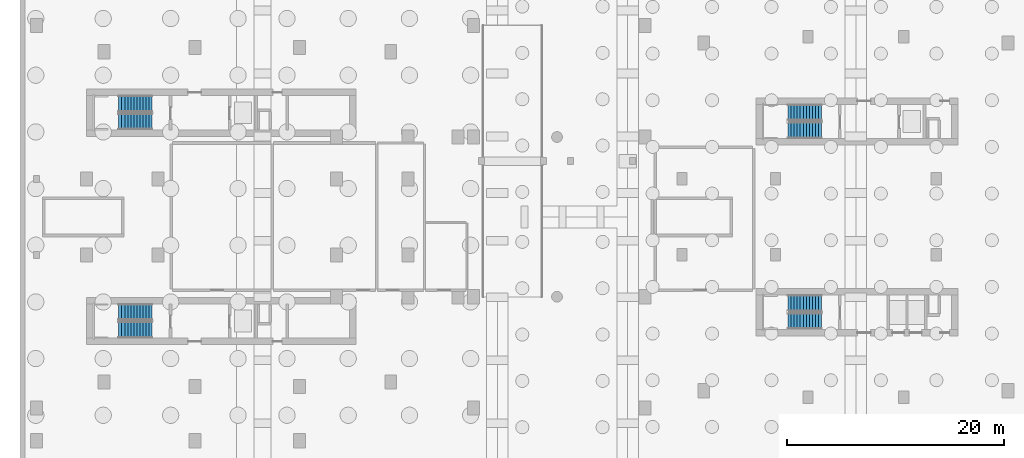
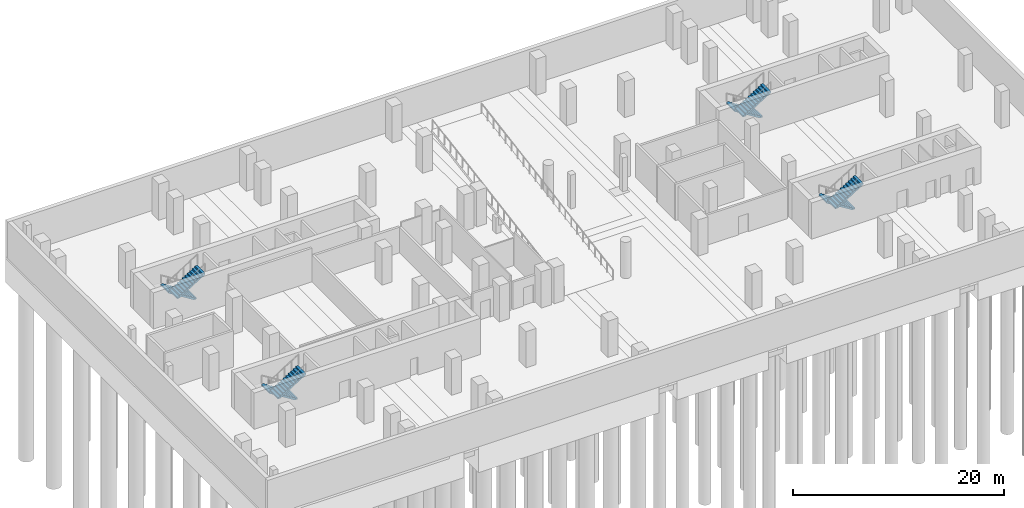
# One storey, part 9 of 14: 8 stair flights, 4 elements without a shape of their own.
"""IFC4 building model written with IfcOpenShell, lengths in metres."""

from ifc_helpers import new_model, si_unit, derived_unit, direction, frame, origin, place, context, subcontext, project, spatial, polyline, outline, extrude, material, type_object, element, aggregate, save


model = new_model("IFC4")

# Units and contexts
model_context = context("Model", 3, precision=1e-05, world=origin(), true_north=direction((0.0, 1.0)))
body_context = subcontext(model_context, "Body", "Model", "MODEL_VIEW")
ifc_project = project(units=[si_unit("LENGTHUNIT", "METRE"), si_unit("AREAUNIT", "SQUARE_METRE"), si_unit("VOLUMEUNIT", "CUBIC_METRE"), si_unit("PLANEANGLEUNIT", "RADIAN"), si_unit("MASSUNIT", "GRAM", prefix="KILO"), derived_unit("THERMALTRANSMITTANCEUNIT", [(si_unit("POWERUNIT", "WATT"), 1), (si_unit("LENGTHUNIT", "METRE"), -2), (si_unit("THERMODYNAMICTEMPERATUREUNIT", "KELVIN"), -1)])], contexts=[model_context])

# Site, building, storey
site_placement = place(None, origin())
site = spatial("IfcSite", under=ifc_project, at=site_placement, CompositionType="ELEMENT")
building_placement = place(site_placement, origin())
building = spatial("IfcBuilding", under=site, at=building_placement, Name="Kivonza Crest Hotel", CompositionType="ELEMENT")
storey_placement = place(building_placement, frame((0.0, 0.0, -8.39990234375)))
storey = spatial("IfcBuildingStorey", under=building, at=storey_placement, Name="B2", CompositionType="ELEMENT", Elevation=-8.39990234375)

# Stair, stair flights
ifc_material = material(Name="Concrete C40/50", Category="concrete")
stair_type = type_object("IfcStairType", Name="ST-DL-24R", PredefinedType="HALF_TURN_STAIR", material=ifc_material)
stair_1_placement = place(storey_placement, origin())
stair_1 = element("IfcStair", 1, at=stair_1_placement, inside=storey, type_object=stair_type, Name="B2 Protected Exit Stair ST-T1-N", PredefinedType="HALF_TURN_STAIR")
stair_flight_type = type_object("IfcStairFlightType", Name="SFL-RC-12R", PredefinedType="STRAIGHT", material=ifc_material)
stair_flight_1_placement = place(storey_placement, frame((12.239990234375, 35.409912109375, 0.0), z_axis=(0.0, 0.0, 1.0), x_axis=(-1.0, 0.0, 0.0)))
stair_flight_1 = element("IfcStairFlight", 2, at=stair_flight_1_placement, type_object=stair_flight_type, Name="ST-T1-N flight 1", NumberOfRisers=12, NumberOfTreads=11, PredefinedType="STRAIGHT", RiserHeight=0.175, TreadLength=0.28, context=body_context, shape_type="SweptSolid", body=[
    extrude(outline(polyline([(0.0, 0.0), (0.0, 0.175048828125), (0.280029296875, 0.175048828125), (0.280029296875, 0.35009765625), (0.56005859375, 0.35009765625), (0.56005859375, 0.52490234375), (0.840087890625, 0.52490234375), (0.840087890625, 0.699951171875), (1.1201171875, 0.699951171875), (1.1201171875, 0.875), (1.39990234375, 0.875), (1.39990234375, 1.050048828125), (1.679931640625, 1.050048828125), (1.679931640625, 1.22509765625), (1.9599609375, 1.22509765625), (1.9599609375, 1.39990234375), (2.239990234375, 1.39990234375), (2.239990234375, 1.574951171875), (2.52001953125, 1.574951171875), (2.52001953125, 1.75), (2.800048828125, 1.75), (2.800048828125, 1.925048828125), (3.080078125, 1.925048828125), (3.080078125, 2.10009765625), (3.080078125, 1.748291015625), (0.28271484375, 0.0), (0.0, 0.0)])), frame((0.0, 0.75, 0.0), z_axis=(0.0, -1.0, 0.0), x_axis=(1.0, 0.0, 0.0)), (0.0, 0.0, 1.0), 1.5),
])
stair_flight_2_placement = place(storey_placement, frame((9.159912109375, 33.77001953125, 2.099853515625), z_axis=(0.0, 0.0, 1.0), x_axis=(1.0, 0.0, 0.0)))
stair_flight_2 = element("IfcStairFlight", 3, at=stair_flight_2_placement, type_object=stair_flight_type, Name="ST-T1-N flight 2", NumberOfRisers=12, NumberOfTreads=11, PredefinedType="STRAIGHT", RiserHeight=0.175, TreadLength=0.28, context=body_context, shape_type="SweptSolid", body=[
    extrude(outline(polyline([(0.0, 0.0), (0.0, 0.175048828125), (0.280029296875, 0.175048828125), (0.280029296875, 0.35009765625), (0.56005859375, 0.35009765625), (0.56005859375, 0.52490234375), (0.840087890625, 0.52490234375), (0.840087890625, 0.699951171875), (1.1201171875, 0.699951171875), (1.1201171875, 0.875), (1.39990234375, 0.875), (1.39990234375, 1.050048828125), (1.679931640625, 1.050048828125), (1.679931640625, 1.22509765625), (1.9599609375, 1.22509765625), (1.9599609375, 1.39990234375), (2.239990234375, 1.39990234375), (2.239990234375, 1.574951171875), (2.52001953125, 1.574951171875), (2.52001953125, 1.75), (2.800048828125, 1.75), (2.800048828125, 1.925048828125), (3.080078125, 1.925048828125), (3.080078125, 2.10009765625), (3.080078125, 1.748291015625), (0.28271484375, 0.0), (0.0, 0.0)])), frame((0.0, 0.75, 0.0), z_axis=(0.0, -1.0, 0.0), x_axis=(1.0, 0.0, 0.0)), (0.0, 0.0, 1.0), 1.5),
])
aggregate(stair_1, [stair_flight_1, stair_flight_2])

stair_2_placement = place(storey_placement, origin())
stair_2 = element("IfcStair", 4, at=stair_2_placement, inside=storey, type_object=stair_type, Name="B2 Protected Exit Stair ST-T1-S", PredefinedType="HALF_TURN_STAIR")
stair_flight_3_placement = place(storey_placement, frame((12.239990234375, 16.25, 0.0), z_axis=(0.0, 0.0, 1.0), x_axis=(-1.0, 0.0, 0.0)))
stair_flight_3 = element("IfcStairFlight", 5, at=stair_flight_3_placement, type_object=stair_flight_type, Name="ST-T1-S flight 1", NumberOfRisers=12, NumberOfTreads=11, PredefinedType="STRAIGHT", RiserHeight=0.175, TreadLength=0.28, context=body_context, shape_type="SweptSolid", body=[
    extrude(outline(polyline([(0.0, 0.0), (0.0, 0.175048828125), (0.280029296875, 0.175048828125), (0.280029296875, 0.35009765625), (0.56005859375, 0.35009765625), (0.56005859375, 0.52490234375), (0.840087890625, 0.52490234375), (0.840087890625, 0.699951171875), (1.1201171875, 0.699951171875), (1.1201171875, 0.875), (1.39990234375, 0.875), (1.39990234375, 1.050048828125), (1.679931640625, 1.050048828125), (1.679931640625, 1.22509765625), (1.9599609375, 1.22509765625), (1.9599609375, 1.39990234375), (2.239990234375, 1.39990234375), (2.239990234375, 1.574951171875), (2.52001953125, 1.574951171875), (2.52001953125, 1.75), (2.800048828125, 1.75), (2.800048828125, 1.925048828125), (3.080078125, 1.925048828125), (3.080078125, 2.10009765625), (3.080078125, 1.748291015625), (0.28271484375, 0.0), (0.0, 0.0)])), frame((0.0, 0.75, 0.0), z_axis=(0.0, -1.0, 0.0), x_axis=(1.0, 0.0, 0.0)), (0.0, 0.0, 1.0), 1.5),
])
stair_flight_4_placement = place(storey_placement, frame((9.159912109375, 14.610107421875, 2.099853515625), z_axis=(0.0, 0.0, 1.0), x_axis=(1.0, 0.0, 0.0)))
stair_flight_4 = element("IfcStairFlight", 6, at=stair_flight_4_placement, type_object=stair_flight_type, Name="ST-T1-S flight 2", NumberOfRisers=12, NumberOfTreads=11, PredefinedType="STRAIGHT", RiserHeight=0.175, TreadLength=0.28, context=body_context, shape_type="SweptSolid", body=[
    extrude(outline(polyline([(0.0, 0.0), (0.0, 0.175048828125), (0.280029296875, 0.175048828125), (0.280029296875, 0.35009765625), (0.56005859375, 0.35009765625), (0.56005859375, 0.52490234375), (0.840087890625, 0.52490234375), (0.840087890625, 0.699951171875), (1.1201171875, 0.699951171875), (1.1201171875, 0.875), (1.39990234375, 0.875), (1.39990234375, 1.050048828125), (1.679931640625, 1.050048828125), (1.679931640625, 1.22509765625), (1.9599609375, 1.22509765625), (1.9599609375, 1.39990234375), (2.239990234375, 1.39990234375), (2.239990234375, 1.574951171875), (2.52001953125, 1.574951171875), (2.52001953125, 1.75), (2.800048828125, 1.75), (2.800048828125, 1.925048828125), (3.080078125, 1.925048828125), (3.080078125, 2.10009765625), (3.080078125, 1.748291015625), (0.28271484375, 0.0), (0.0, 0.0)])), frame((0.0, 0.75, 0.0), z_axis=(0.0, -1.0, 0.0), x_axis=(1.0, 0.0, 0.0)), (0.0, 0.0, 1.0), 1.5),
])
aggregate(stair_2, [stair_flight_3, stair_flight_4])

stair_3_placement = place(storey_placement, origin())
stair_3 = element("IfcStair", 7, at=stair_3_placement, inside=storey, type_object=stair_type, Name="B2 Protected Exit Stair ST-T2-N", PredefinedType="HALF_TURN_STAIR")
stair_flight_5_placement = place(storey_placement, frame((73.840087890625, 34.610107421875, 0.0), z_axis=(0.0, 0.0, 1.0), x_axis=(-1.0, 0.0, 0.0)))
stair_flight_5 = element("IfcStairFlight", 8, at=stair_flight_5_placement, type_object=stair_flight_type, Name="ST-T2-N flight 1", NumberOfRisers=12, NumberOfTreads=11, PredefinedType="STRAIGHT", RiserHeight=0.175, TreadLength=0.28, context=body_context, shape_type="SweptSolid", body=[
    extrude(outline(polyline([(0.0, 0.0), (0.0, 0.175048828125), (0.280029296875, 0.175048828125), (0.280029296875, 0.35009765625), (0.56005859375, 0.35009765625), (0.56005859375, 0.52490234375), (0.840087890625, 0.52490234375), (0.840087890625, 0.699951171875), (1.1201171875, 0.699951171875), (1.1201171875, 0.875), (1.39990234375, 0.875), (1.39990234375, 1.050048828125), (1.679931640625, 1.050048828125), (1.679931640625, 1.22509765625), (1.9599609375, 1.22509765625), (1.9599609375, 1.39990234375), (2.239990234375, 1.39990234375), (2.239990234375, 1.574951171875), (2.52001953125, 1.574951171875), (2.52001953125, 1.75), (2.800048828125, 1.75), (2.800048828125, 1.925048828125), (3.080078125, 1.925048828125), (3.080078125, 2.10009765625), (3.080078125, 1.748291015625), (0.28271484375, 0.0), (0.0, 0.0)])), frame((0.0, 0.75, 0.0), z_axis=(0.0, -1.0, 0.0), x_axis=(1.0, 0.0, 0.0)), (0.0, 0.0, 1.0), 1.5),
])
stair_flight_6_placement = place(storey_placement, frame((70.760009765625, 32.969970703125, 2.099853515625), z_axis=(0.0, 0.0, 1.0), x_axis=(1.0, 0.0, 0.0)))
stair_flight_6 = element("IfcStairFlight", 9, at=stair_flight_6_placement, type_object=stair_flight_type, Name="ST-T2-N flight 2", NumberOfRisers=12, NumberOfTreads=11, PredefinedType="STRAIGHT", RiserHeight=0.175, TreadLength=0.28, context=body_context, shape_type="SweptSolid", body=[
    extrude(outline(polyline([(0.0, 0.0), (0.0, 0.175048828125), (0.280029296875, 0.175048828125), (0.280029296875, 0.35009765625), (0.56005859375, 0.35009765625), (0.56005859375, 0.52490234375), (0.840087890625, 0.52490234375), (0.840087890625, 0.699951171875), (1.1201171875, 0.699951171875), (1.1201171875, 0.875), (1.39990234375, 0.875), (1.39990234375, 1.050048828125), (1.679931640625, 1.050048828125), (1.679931640625, 1.22509765625), (1.9599609375, 1.22509765625), (1.9599609375, 1.39990234375), (2.239990234375, 1.39990234375), (2.239990234375, 1.574951171875), (2.52001953125, 1.574951171875), (2.52001953125, 1.75), (2.800048828125, 1.75), (2.800048828125, 1.925048828125), (3.080078125, 1.925048828125), (3.080078125, 2.10009765625), (3.080078125, 1.748291015625), (0.28271484375, 0.0), (0.0, 0.0)])), frame((0.0, 0.75, 0.0), z_axis=(0.0, -1.0, 0.0), x_axis=(1.0, 0.0, 0.0)), (0.0, 0.0, 1.0), 1.5),
])
aggregate(stair_3, [stair_flight_5, stair_flight_6])

stair_4_placement = place(storey_placement, origin())
stair_4 = element("IfcStair", 10, at=stair_4_placement, inside=storey, type_object=stair_type, Name="B2 Protected Exit Stair ST-T2-S", PredefinedType="HALF_TURN_STAIR")
stair_flight_7_placement = place(storey_placement, frame((73.840087890625, 17.050048828125, 0.0), z_axis=(0.0, 0.0, 1.0), x_axis=(-1.0, 0.0, 0.0)))
stair_flight_7 = element("IfcStairFlight", 11, at=stair_flight_7_placement, type_object=stair_flight_type, Name="ST-T2-S flight 1", NumberOfRisers=12, NumberOfTreads=11, PredefinedType="STRAIGHT", RiserHeight=0.175, TreadLength=0.28, context=body_context, shape_type="SweptSolid", body=[
    extrude(outline(polyline([(0.0, 0.0), (0.0, 0.175048828125), (0.280029296875, 0.175048828125), (0.280029296875, 0.35009765625), (0.56005859375, 0.35009765625), (0.56005859375, 0.52490234375), (0.840087890625, 0.52490234375), (0.840087890625, 0.699951171875), (1.1201171875, 0.699951171875), (1.1201171875, 0.875), (1.39990234375, 0.875), (1.39990234375, 1.050048828125), (1.679931640625, 1.050048828125), (1.679931640625, 1.22509765625), (1.9599609375, 1.22509765625), (1.9599609375, 1.39990234375), (2.239990234375, 1.39990234375), (2.239990234375, 1.574951171875), (2.52001953125, 1.574951171875), (2.52001953125, 1.75), (2.800048828125, 1.75), (2.800048828125, 1.925048828125), (3.080078125, 1.925048828125), (3.080078125, 2.10009765625), (3.080078125, 1.748291015625), (0.28271484375, 0.0), (0.0, 0.0)])), frame((0.0, 0.75, 0.0), z_axis=(0.0, -1.0, 0.0), x_axis=(1.0, 0.0, 0.0)), (0.0, 0.0, 1.0), 1.5),
])
stair_flight_8_placement = place(storey_placement, frame((70.760009765625, 15.409912109375, 2.099853515625), z_axis=(0.0, 0.0, 1.0), x_axis=(1.0, 0.0, 0.0)))
stair_flight_8 = element("IfcStairFlight", 12, at=stair_flight_8_placement, type_object=stair_flight_type, Name="ST-T2-S flight 2", NumberOfRisers=12, NumberOfTreads=11, PredefinedType="STRAIGHT", RiserHeight=0.175, TreadLength=0.28, context=body_context, shape_type="SweptSolid", body=[
    extrude(outline(polyline([(0.0, 0.0), (0.0, 0.175048828125), (0.280029296875, 0.175048828125), (0.280029296875, 0.35009765625), (0.56005859375, 0.35009765625), (0.56005859375, 0.52490234375), (0.840087890625, 0.52490234375), (0.840087890625, 0.699951171875), (1.1201171875, 0.699951171875), (1.1201171875, 0.875), (1.39990234375, 0.875), (1.39990234375, 1.050048828125), (1.679931640625, 1.050048828125), (1.679931640625, 1.22509765625), (1.9599609375, 1.22509765625), (1.9599609375, 1.39990234375), (2.239990234375, 1.39990234375), (2.239990234375, 1.574951171875), (2.52001953125, 1.574951171875), (2.52001953125, 1.75), (2.800048828125, 1.75), (2.800048828125, 1.925048828125), (3.080078125, 1.925048828125), (3.080078125, 2.10009765625), (3.080078125, 1.748291015625), (0.28271484375, 0.0), (0.0, 0.0)])), frame((0.0, 0.75, 0.0), z_axis=(0.0, -1.0, 0.0), x_axis=(1.0, 0.0, 0.0)), (0.0, 0.0, 1.0), 1.5),
])
aggregate(stair_4, [stair_flight_7, stair_flight_8])

save(model, "model.ifc")
